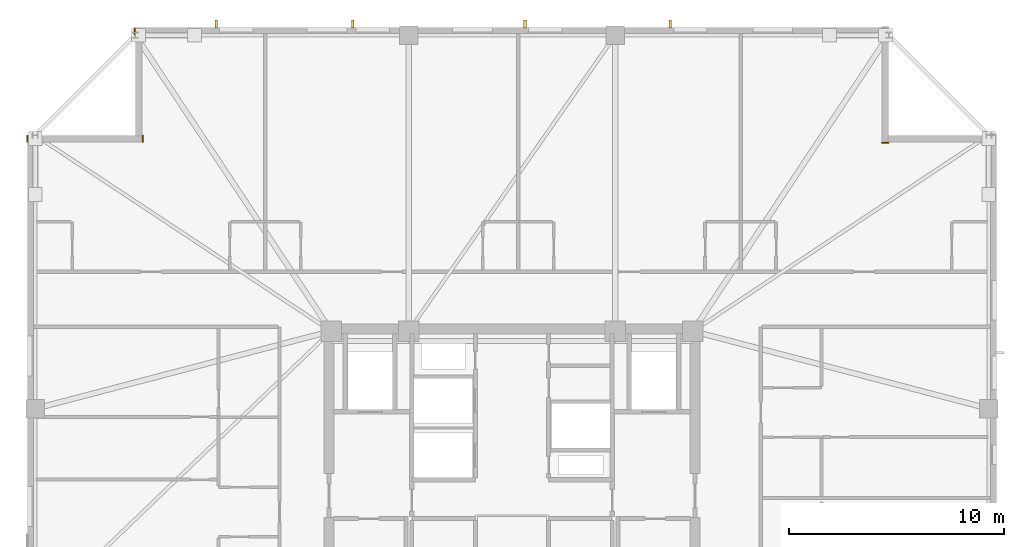
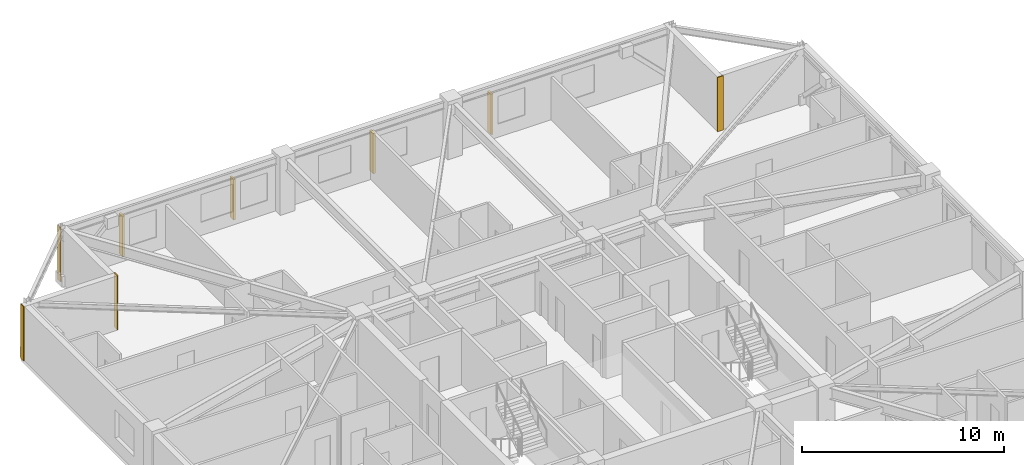
# One storey, part 15 of 16: 4 coverings, 4 shading devices.
"""IFC4 building model written with IfcOpenShell, lengths in metres."""

import ifcopenshell
import ifcopenshell.guid

model = None  # the IFC model being written
_history = None  # IfcOwnerHistory: only IFC2X3 demands one
_inside = {}  # id of a spatial element -> (the spatial element, [elements in it])
_under = {}  # id of a project, library or spatial element -> (it, [spatial elements below it])
_declared = {}  # id of a project -> (the project, [libraries it declares])
_typed = {}  # id of a type object -> (the type object, [elements of that type])
_made_of = {}  # id of a material, layer set ... -> (it, [elements and type objects made of it])


def new_model(schema):
    """Start an empty IFC model of exactly this schema.

    Asked for "IFC4X3", IfcOpenShell would pick the latest addendum, in which some entities
    have other attributes; the version numbers below select the first issue.
    IFC2X3 requires an IfcOwnerHistory on every rooted entity: one is made here for all.
    """
    global model, _history
    if schema == "IFC4X3":
        model = ifcopenshell.file(schema_version=(4, 3, 0, 0))
    else:
        model = ifcopenshell.file(schema=schema)
    _inside.clear()
    _under.clear()
    _declared.clear()
    _typed.clear()
    _made_of.clear()
    _history = None
    if model.schema == "IFC2X3":
        org = make("IfcOrganization", Name="unknown")
        user = make(
            "IfcPersonAndOrganization",
            ThePerson=make("IfcPerson", FamilyName="unknown"),
            TheOrganization=org,
        )
        app = make(
            "IfcApplication",
            ApplicationDeveloper=org,
            Version="unknown",
            ApplicationFullName="unknown",
            ApplicationIdentifier="unknown",
        )
        _history = make(
            "IfcOwnerHistory",
            OwningUser=user,
            OwningApplication=app,
            ChangeAction="ADDED",
            CreationDate=0,
        )
    return model


def make(cls, **values):
    """One entity of the class cls with the attributes given. An attribute that is None is left unset."""
    return model.create_entity(
        cls, **{name: value for name, value in values.items() if value is not None}
    )


def rooted(cls, **values):
    """An entity with a GlobalId (a new one), such as an element, a storey or a relation."""
    return make(cls, GlobalId=ifcopenshell.guid.new(), OwnerHistory=_history, **values)


def si_unit(unit_type, name, prefix=None):
    """IfcSIUnit, for example si_unit("LENGTHUNIT", "METRE", prefix="MILLI")."""
    return make("IfcSIUnit", UnitType=unit_type, Prefix=prefix, Name=name)


def assignment(units):
    """IfcUnitAssignment: the units of a project."""
    return None if units is None else make("IfcUnitAssignment", Units=units)


def point(xyz):
    """IfcCartesianPoint."""
    return None if xyz is None else make("IfcCartesianPoint", Coordinates=xyz)


def direction(xyz):
    """IfcDirection."""
    return None if xyz is None else make("IfcDirection", DirectionRatios=xyz)


def frame(location, z_axis=None, x_axis=None):
    """IfcAxis2Placement3D, a coordinate frame: its origin and axes. An axis left out is left unset."""
    return make(
        "IfcAxis2Placement3D",
        Location=point(location),
        Axis=direction(z_axis),
        RefDirection=direction(x_axis),
    )


def frame_2d(location, x_axis=None):
    """IfcAxis2Placement2D, a coordinate frame in the plane: its origin and x axis."""
    return make(
        "IfcAxis2Placement2D", Location=point(location), RefDirection=direction(x_axis)
    )


def origin():
    """The frame at (0, 0, 0) with its axes left unset."""
    return frame((0.0, 0.0, 0.0))


def origin_2d():
    """The frame at (0, 0) in the plane with its x axis left unset."""
    return frame_2d((0.0, 0.0))


def place(relative_to, where):
    """IfcLocalPlacement: puts the frame where relative to a parent placement (None: the world)."""
    return make(
        "IfcLocalPlacement", PlacementRelTo=relative_to, RelativePlacement=where
    )


def context(
    kind, dimensions, precision=None, world=None, true_north=None, identifier=None
):
    """IfcGeometricRepresentationContext, for example the 3D "Model" context."""
    return make(
        "IfcGeometricRepresentationContext",
        ContextIdentifier=identifier,
        ContextType=kind,
        CoordinateSpaceDimension=dimensions,
        Precision=precision,
        WorldCoordinateSystem=world,
        TrueNorth=true_north,
    )


def subcontext(parent, identifier, kind, view, scale=None):
    """IfcGeometricRepresentationSubContext, for example "Body" below "Model"."""
    return make(
        "IfcGeometricRepresentationSubContext",
        ContextIdentifier=identifier,
        ContextType=kind,
        ParentContext=parent,
        TargetScale=scale,
        TargetView=view,
    )


def project(units=None, contexts=None):
    """IfcProject with its units and contexts."""
    return rooted(
        "IfcProject",
        Name="project",
        RepresentationContexts=contexts,
        UnitsInContext=assignment(units),
    )


def spatial(cls, under=None, at=None, **own):
    """A site, building, storey or space (cls), placed at a placement, below another one or the project."""
    s = rooted(cls, ObjectPlacement=at, **own)
    if under is not None:
        _under.setdefault(under.id(), (under, []))[1].append(s)
    return s


def profile(cls, at=None, kind="AREA", **sizes):
    """A parametric profile (cls). Its sizes go by their IFC names, for example OverallWidth=200.0."""
    return make(cls, ProfileType=kind, Position=at, **sizes)


def rectangle(**sizes):
    """IfcRectangleProfileDef."""
    return profile("IfcRectangleProfileDef", **sizes)


def extrude(swept, where, along, depth):
    """IfcExtrudedAreaSolid: the profile swept, set in the frame where, extruded along a direction by depth."""
    return make(
        "IfcExtrudedAreaSolid",
        SweptArea=swept,
        Position=where,
        ExtrudedDirection=direction(along),
        Depth=depth,
    )


def shape(context_of_items, identifier, shape_type, items):
    """IfcShapeRepresentation: the items that make up one representation, for example the "Body"."""
    return make(
        "IfcShapeRepresentation",
        ContextOfItems=context_of_items,
        RepresentationIdentifier=identifier,
        RepresentationType=shape_type,
        Items=items,
    )


def material(Name=None, Category=None):
    """IfcMaterial."""
    return make("IfcMaterial", Name=Name, Category=Category)


def layer(
    of_material, thickness, ventilated=None, Name=None, Category=None, Priority=None
):
    """IfcMaterialLayer: one layer of a wall or slab, of a material (None: an air gap)."""
    return make(
        "IfcMaterialLayer",
        Material=of_material,
        LayerThickness=thickness,
        IsVentilated=ventilated,
        Name=Name,
        Category=Category,
        Priority=Priority,
    )


def layer_set(layers, Name=None):
    """IfcMaterialLayerSet."""
    return make("IfcMaterialLayerSet", MaterialLayers=layers, LayerSetName=Name)


def made_of(thing, what):
    """Note that an element or type object is made of a material, layer set ...; save() writes the relation."""
    if what is not None:
        _made_of.setdefault(what.id(), (what, []))[1].append(thing)
    return thing


def type_object(cls, material=None, **own):
    """A type object (cls), such as IfcWallType, which elements share."""
    return made_of(rooted(cls, **own), material)


def element(
    cls,
    number,
    at=None,
    inside=None,
    cuts=None,
    type_object=None,
    material=None,
    context=None,
    identifier="Body",
    shape_type=None,
    held_by="IfcProductDefinitionShape",
    body=None,
    shapes=None,
    **own,
):
    """One element of the class cls, such as IfcWall. Its Tag is "e" and its number.

    at: its placement. inside: the storey or other place that contains it. cuts: it is an
    opening in that element (IfcRelVoidsElement). A single representation is given by context,
    identifier, shape_type and body (its items); several are given by shapes. held_by: the class
    of the entity that holds the representations. save() writes the other relations.
    """
    e = rooted(cls, Tag="e%d" % number, ObjectPlacement=at, **own)
    if body is not None:
        shapes = [shape(context, identifier, shape_type, body)]
    if shapes is not None:
        e.Representation = make(held_by, Representations=shapes)
    if inside is not None:
        _inside.setdefault(inside.id(), (inside, []))[1].append(e)
    if cuts is not None:
        rooted(
            "IfcRelVoidsElement", RelatingBuildingElement=cuts, RelatedOpeningElement=e
        )
    if type_object is not None:
        _typed.setdefault(type_object.id(), (type_object, []))[1].append(e)
    return made_of(e, material)


def aggregate(whole, parts):
    """IfcRelAggregates: a whole, such as a stair, and the parts it consists of."""
    return rooted("IfcRelAggregates", RelatingObject=whole, RelatedObjects=parts)


def save(model, path):
    """Write the relations noted so far, then the file.

    IfcRelAggregates (storeys below a building ...), IfcRelContainedInSpatialStructure (elements
    in a storey), IfcRelDefinesByType, IfcRelAssociatesMaterial and IfcRelDeclares: one each for
    every whole, place, type object, material and project.
    """
    for whole, parts in _under.values():
        aggregate(whole, parts)
    for where, things in _inside.values():
        rooted(
            "IfcRelContainedInSpatialStructure",
            RelatedElements=things,
            RelatingStructure=where,
        )
    for kind, things in _typed.values():
        rooted("IfcRelDefinesByType", RelatedObjects=things, RelatingType=kind)
    for what, things in _made_of.values():
        rooted("IfcRelAssociatesMaterial", RelatedObjects=things, RelatingMaterial=what)
    for by, libraries in _declared.values():
        rooted("IfcRelDeclares", RelatingContext=by, RelatedDefinitions=libraries)
    model.write(path)


model = new_model("IFC4")

# Units and contexts
model_context = context("Model", 3, precision=1e-05, world=origin(), true_north=direction((0.0, 1.0)))
body_context = subcontext(model_context, "Body", "Model", "MODEL_VIEW")
ifc_project = project(units=[si_unit("LENGTHUNIT", "METRE"), si_unit("AREAUNIT", "SQUARE_METRE"), si_unit("VOLUMEUNIT", "CUBIC_METRE"), si_unit("PLANEANGLEUNIT", "RADIAN"), si_unit("MASSUNIT", "GRAM", prefix="KILO")], contexts=[model_context])

# Site, building, storey
site_placement = place(None, origin())
site = spatial("IfcSite", under=ifc_project, at=site_placement, CompositionType="ELEMENT")
building_placement = place(site_placement, origin())
building = spatial("IfcBuilding", under=site, at=building_placement, Name="Cairnveth Concourse Tower", CompositionType="ELEMENT")
storey_placement = place(building_placement, frame((0.0, 0.0, 255.0)))
storey = spatial("IfcBuildingStorey", under=building, at=storey_placement, Name="L70", CompositionType="ELEMENT", Elevation=255.0)

# Coverings
ifc_material_1 = material(Name="Dressed Melbourne Bluestone Cladding", Category="masonry")
ifc_layer = layer(ifc_material_1, 0.050048828125)
ifc_layer_set = layer_set([ifc_layer], Name="Dressed Melbourne Bluestone Cladding")
covering_type = type_object("IfcCoveringType", Name="DRESSED BLUESTONE PLINTH CLADDING 50", PredefinedType="CLADDING", material=ifc_layer_set)
for number, where, z_axis, x_axis, name in (
    (1, (29.47998046875, 56.179931640625, 0.0), (0.0, 0.0, 1.0), (0.0, 1.0, 0.0), "Melbourne Bluestone Corner Quoin L70-1056"),
    (2, (34.840087890625, 56.179931640625, 0.0), (0.0, 0.0, 1.0), (0.0, 1.0, 0.0), "Melbourne Bluestone Corner Quoin L70-1057"),
    (3, (34.47998046875, 61.179931640625, 0.0), (0.0, 0.0, 1.0), (0.0, 1.0, 0.0), "Melbourne Bluestone Corner Quoin L70-1058"),
    (4, (69.179931640625, 56.159912109375, 0.0), (0.0, 0.0, 1.0), (1.0, 0.0, 0.0), "Melbourne Bluestone Corner Quoin L70-1060"),
):
    element("IfcCovering", number, at=place(storey_placement, frame(where, z_axis=z_axis, x_axis=x_axis)), inside=storey, type_object=covering_type, Name=name, PredefinedType="CLADDING", context=body_context, shape_type="SweptSolid", body=[
        extrude(rectangle(XDim=0.320068359375, YDim=0.050048828125, at=frame_2d((0.16015625, 0.0))), origin(), (0.0, 0.0, 1.0), 3.2900390625),
    ])

# Shading devices
ifc_material_2 = material(Name="Architectural Bronze Anodised Aluminium 6063-T6", Category="aluminium")
shading_device_type = type_object("IfcShadingDeviceType", Name="GOTHIC BRONZE VERTICAL LANCET FIN", PredefinedType="USERDEFINED", material=ifc_material_2)
for number, where, z_axis, x_axis, name in (
    (5, (38.252685546875, 61.675048828125, 0.030029296875), (0.0, 0.0, 1.0), (1.0, 0.0, 0.0), "Gothic Bronze Vertical Fin L70-3-1"),
    (6, (44.60302734375, 61.675048828125, 0.030029296875), (0.0, 0.0, 1.0), (1.0, 0.0, 0.0), "Gothic Bronze Vertical Fin L70-3-3"),
    (7, (52.603515625, 61.675048828125, 0.030029296875), (0.0, 0.0, 1.0), (1.0, 0.0, 0.0), "Gothic Bronze Vertical Fin L70-3-5"),
    (8, (59.35400390625, 61.675048828125, 0.030029296875), (0.0, 0.0, 1.0), (1.0, 0.0, 0.0), "Gothic Bronze Vertical Fin L70-3-7"),
):
    element("IfcShadingDevice", number, at=place(storey_placement, frame(where, z_axis=z_axis, x_axis=x_axis)), inside=storey, type_object=shading_device_type, Name=name, ObjectType="VERTICAL FIN", PredefinedType="USERDEFINED", context=body_context, shape_type="SweptSolid", body=[
        extrude(rectangle(XDim=0.1201171875, YDim=0.360107421875, at=origin_2d()), origin(), (0.0, 0.0, 1.0), 2.43798828125),
    ])

save(model, "model.ifc")
